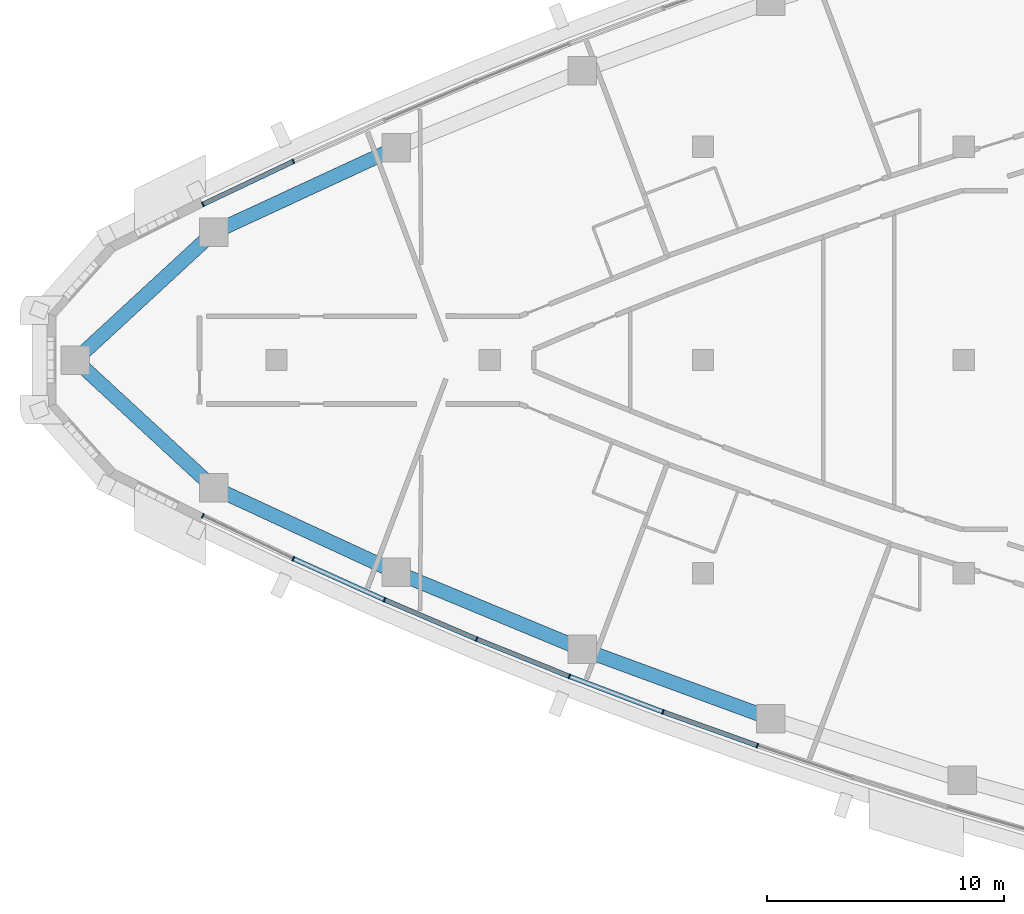
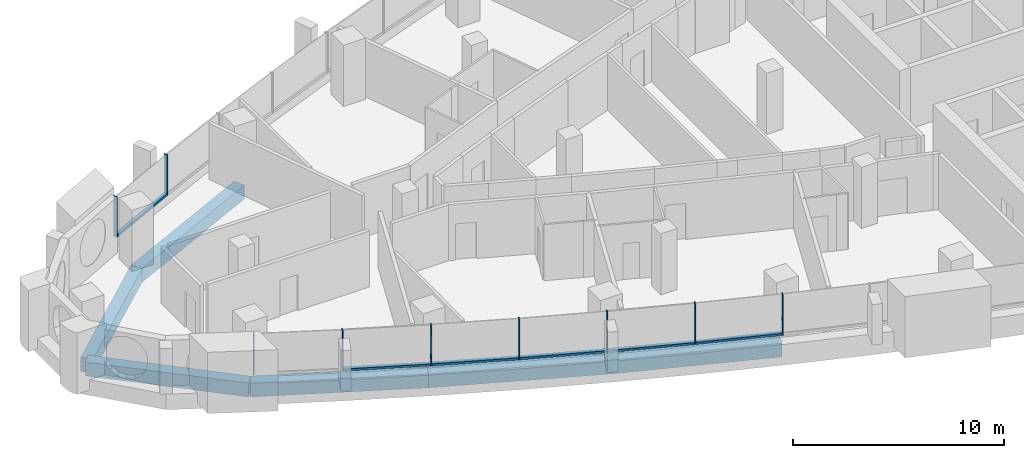
# One storey, part 2 of 15: 15 members, 6 beams, 4 elements without a shape of their own.
"""IFC4 building model written with IfcOpenShell, lengths in metres."""

from ifc_helpers import new_model, si_unit, direction, frame, origin, origin_2d, place, context, subcontext, project, spatial, rectangle, extrude, material, layer, layer_set, material_profile, profile_set, type_object, element, aggregate, save


model = new_model("IFC4")

# Units and contexts
model_context = context("Model", 3, precision=1e-05, world=origin(), true_north=direction((0.0, 1.0)))
body_context = subcontext(model_context, "Body", "Model", "MODEL_VIEW")
ifc_project = project(units=[si_unit("LENGTHUNIT", "METRE"), si_unit("AREAUNIT", "SQUARE_METRE"), si_unit("VOLUMEUNIT", "CUBIC_METRE"), si_unit("PLANEANGLEUNIT", "RADIAN"), si_unit("MASSUNIT", "GRAM", prefix="KILO")], contexts=[model_context])

# Site, building, storey
site_placement = place(None, origin())
site = spatial("IfcSite", under=ifc_project, at=site_placement, CompositionType="ELEMENT")
building_placement = place(site_placement, origin())
building = spatial("IfcBuilding", under=site, at=building_placement, Name="Ostrand Prow Hotel Tower", CompositionType="ELEMENT")
storey_placement = place(building_placement, frame((0.0, 0.0, 235.0)))
storey = spatial("IfcBuildingStorey", under=building, at=storey_placement, Name="L59", CompositionType="ELEMENT", Elevation=235.0)

# Beams
ifc_material_1 = material(Name="Concrete C50/60", Category="concrete")
ifc_material_profile_1 = material_profile(ifc_material_1, rectangle(XDim=0.60009765625, YDim=0.800048828125, at=origin_2d()), Name="RC 600x800")
ifc_profile_set_1 = profile_set([ifc_material_profile_1], Name="Concrete C50/60")
beam_type = type_object("IfcBeamType", Name="Edge beam 600x800 C50/60", PredefinedType="SPANDREL", material=ifc_profile_set_1)
beam_1_placement = place(storey_placement, frame((7.513916015625, 0.0, -0.699951171875), z_axis=(0.734806976358, -0.678276276672, 0.0), x_axis=(0.678276276672, 0.734806976358, 0.0)))
element("IfcBeam", 1, at=beam_1_placement, inside=storey, type_object=beam_type, Name="Edge beam P-S1", PredefinedType="SPANDREL", context=body_context, shape_type="SweptSolid", body=[
    extrude(rectangle(XDim=0.60009765625, YDim=0.800048828125, at=origin_2d()), origin(), (0.0, 0.0, 1.0), 7.95068359375),
])
beam_2_placement = place(storey_placement, frame((13.356201171875, -5.392822265625, -0.699951171875), z_axis=(0.907521936352, -0.420004684544, 0.0), x_axis=(0.420004684544, 0.907521936352, 0.0)))
element("IfcBeam", 2, at=beam_2_placement, inside=storey, type_object=beam_type, Name="Edge beam S1-S2", PredefinedType="SPANDREL", context=body_context, shape_type="SweptSolid", body=[
    extrude(rectangle(XDim=0.60009765625, YDim=0.800048828125, at=origin_2d()), origin(), (0.0, 0.0, 1.0), 8.4873046875),
])
for number, where, z_axis, x_axis, name in (
    (3, (21.05859375, -8.95751953125, -0.699951171875), (0.923890977326, -0.38265580097, 0.0), (0.38265580097, 0.923890977326, 0.0), "Edge beam S2-S3"),
    (4, (28.900146484375, -12.205322265625, -0.699951171875), (0.938684959139, -0.344776083113, 0.0), (0.344776083113, 0.938684959139, 0.0), "Edge beam S3-S4"),
):
    element("IfcBeam", number, at=place(storey_placement, frame(where, z_axis=z_axis, x_axis=x_axis)), inside=storey, type_object=beam_type, Name=name, PredefinedType="SPANDREL", context=body_context, shape_type="SweptSolid", body=[
        extrude(rectangle(XDim=0.60009765625, YDim=0.800048828125, at=origin_2d()), origin(), (0.0, 0.0, 1.0), 8.487548828125),
    ])
beam_3_placement = place(storey_placement, frame((21.05859375, 8.95751953125, -0.699951171875), z_axis=(-0.907521936352, -0.420004684544, 0.0), x_axis=(0.420004684544, -0.907521936352, 0.0)))
element("IfcBeam", 5, at=beam_3_placement, inside=storey, type_object=beam_type, Name="Edge beam N5-N6", PredefinedType="SPANDREL", context=body_context, shape_type="SweptSolid", body=[
    extrude(rectangle(XDim=0.60009765625, YDim=0.800048828125, at=origin_2d()), origin(), (0.0, 0.0, 1.0), 8.4873046875),
])
beam_4_placement = place(storey_placement, frame((13.356201171875, 5.392822265625, -0.699951171875), z_axis=(-0.734806976358, -0.678276276672, 0.0), x_axis=(0.678276276672, -0.734806976358, 0.0)))
element("IfcBeam", 6, at=beam_4_placement, inside=storey, type_object=beam_type, Name="Edge beam N6-P", PredefinedType="SPANDREL", context=body_context, shape_type="SweptSolid", body=[
    extrude(rectangle(XDim=0.60009765625, YDim=0.800048828125, at=origin_2d()), origin(), (0.0, 0.0, 1.0), 7.95068359375),
])

# Curtain wall, members
ifc_material_2 = material(Name="Insulated glass in bronze anodised frame", Category="glass")
ifc_layer = layer(ifc_material_2, 0.199951171875)
ifc_layer_set = layer_set([ifc_layer], Name="Insulated glass in bronze anodised frame")
curtain_wall_type = type_object("IfcCurtainWallType", Name="Strip curtain wall, fritted glass over bronze spandrel", PredefinedType="NOTDEFINED", material=ifc_layer_set)
curtain_wall_1_placement = place(storey_placement, origin())
curtain_wall_1 = element("IfcCurtainWall", 7, at=curtain_wall_1_placement, inside=storey, type_object=curtain_wall_type, Name="CW1 run CWS1", PredefinedType="NOTDEFINED")
ifc_material_3 = material(Name="Bronze anodised aluminium", Category="aluminium")
ifc_material_profile_2 = material_profile(ifc_material_3, rectangle(XDim=0.199951171875, YDim=0.06005859375, at=origin_2d()), Name="Mullion 60x200 bronze anodised aluminium")
ifc_profile_set_2 = profile_set([ifc_material_profile_2], Name="Bronze anodised aluminium")
member_type_1 = type_object("IfcMemberType", Name="Mullion 60x200 bronze anodised aluminium", PredefinedType="MULLION", material=ifc_profile_set_2)
member_1_placement = place(storey_placement, frame((12.893310546875, -6.57080078125, 0.89990234375), z_axis=(0.0, 0.0, 1.0), x_axis=(0.428861030937, 0.903370475577, 0.0)))
member_1 = element("IfcMember", 8, at=member_1_placement, type_object=member_type_1, Name="CW1 mullion 1", PredefinedType="MULLION", context=body_context, shape_type="SweptSolid", body=[
    extrude(rectangle(XDim=0.199951171875, YDim=0.06005859375, at=origin_2d()), origin(), (0.0, 0.0, 1.0), 2.35009765625),
])
member_2_placement = place(storey_placement, frame((16.708740234375, -8.382080078125, 0.89990234375), z_axis=(0.0, 0.0, 1.0), x_axis=(0.41058199404, 0.911823681514, 0.0)))
member_2 = element("IfcMember", 9, at=member_2_placement, type_object=member_type_1, Name="CW1 mullion 2", PredefinedType="MULLION", context=body_context, shape_type="SweptSolid", body=[
    extrude(rectangle(XDim=0.199951171875, YDim=0.06005859375, at=origin_2d()), origin(), (0.0, 0.0, 1.0), 2.35009765625),
])
member_3_placement = place(storey_placement, frame((20.56005859375, -10.116455078125, 0.89990234375), z_axis=(0.0, 0.0, 1.0), x_axis=(0.41058199404, 0.911823681514, 0.0)))
member_3 = element("IfcMember", 10, at=member_3_placement, type_object=member_type_1, Name="CW1 mullion 3", PredefinedType="MULLION", context=body_context, shape_type="SweptSolid", body=[
    extrude(rectangle(XDim=0.199951171875, YDim=0.06005859375, at=origin_2d()), origin(), (0.0, 0.0, 1.0), 2.35009765625),
])

curtain_wall_2_placement = place(storey_placement, origin())
curtain_wall_2 = element("IfcCurtainWall", 11, at=curtain_wall_2_placement, inside=storey, type_object=curtain_wall_type, Name="CW1 run CWS2", PredefinedType="NOTDEFINED")
member_4_placement = place(storey_placement, frame((24.445556640625, -11.772705078125, 0.89990234375), z_axis=(0.0, 0.0, 1.0), x_axis=(0.373533449004, 0.927616710972, 0.0)))
member_4 = element("IfcMember", 12, at=member_4_placement, type_object=member_type_1, Name="CW1 mullion 2", PredefinedType="MULLION", context=body_context, shape_type="SweptSolid", body=[
    extrude(rectangle(XDim=0.199951171875, YDim=0.06005859375, at=origin_2d()), origin(), (0.0, 0.0, 1.0), 2.35009765625),
])
member_5_placement = place(storey_placement, frame((28.363525390625, -13.350341796875, 0.89990234375), z_axis=(0.0, 0.0, 1.0), x_axis=(0.373533449004, 0.927616710972, 0.0)))
member_5 = element("IfcMember", 13, at=member_5_placement, type_object=member_type_1, Name="CW1 mullion 3", PredefinedType="MULLION", context=body_context, shape_type="SweptSolid", body=[
    extrude(rectangle(XDim=0.199951171875, YDim=0.06005859375, at=origin_2d()), origin(), (0.0, 0.0, 1.0), 2.35009765625),
])

curtain_wall_3_placement = place(storey_placement, origin())
curtain_wall_3 = element("IfcCurtainWall", 14, at=curtain_wall_3_placement, inside=storey, type_object=curtain_wall_type, Name="CW1 run CWS3", PredefinedType="NOTDEFINED")
member_6_placement = place(storey_placement, frame((32.3125, -14.848876953125, 0.89990234375), z_axis=(0.0, 0.0, 1.0), x_axis=(0.335877383374, 0.941905718922, 0.0)))
member_6 = element("IfcMember", 15, at=member_6_placement, type_object=member_type_1, Name="CW1 mullion 2", PredefinedType="MULLION", context=body_context, shape_type="SweptSolid", body=[
    extrude(rectangle(XDim=0.199951171875, YDim=0.06005859375, at=origin_2d()), origin(), (0.0, 0.0, 1.0), 2.35009765625),
])
member_7_placement = place(storey_placement, frame((36.291015625, -16.267578125, 0.89990234375), z_axis=(0.0, 0.0, 1.0), x_axis=(0.335877383374, 0.941905718922, 0.0)))
member_7 = element("IfcMember", 16, at=member_7_placement, type_object=member_type_1, Name="CW1 mullion 3", PredefinedType="MULLION", context=body_context, shape_type="SweptSolid", body=[
    extrude(rectangle(XDim=0.199951171875, YDim=0.06005859375, at=origin_2d()), origin(), (0.0, 0.0, 1.0), 2.35009765625),
])

curtain_wall_4_placement = place(storey_placement, origin())
curtain_wall_4 = element("IfcCurtainWall", 17, at=curtain_wall_4_placement, inside=storey, type_object=curtain_wall_type, Name="CW1 run CWN5", PredefinedType="NOTDEFINED")
member_8_placement = place(storey_placement, frame((16.708740234375, 8.382080078125, 0.89990234375), z_axis=(0.0, 0.0, 1.0), x_axis=(0.428861030937, -0.903370475577, 0.0)))
member_8 = element("IfcMember", 18, at=member_8_placement, type_object=member_type_1, Name="CW1 mullion 2", PredefinedType="MULLION", context=body_context, shape_type="SweptSolid", body=[
    extrude(rectangle(XDim=0.199951171875, YDim=0.06005859375, at=origin_2d()), origin(), (0.0, 0.0, 1.0), 2.35009765625),
])
member_9_placement = place(storey_placement, frame((12.893310546875, 6.57080078125, 0.89990234375), z_axis=(0.0, 0.0, 1.0), x_axis=(0.428861030937, -0.903370475577, 0.0)))
member_9 = element("IfcMember", 19, at=member_9_placement, type_object=member_type_1, Name="CW1 mullion 3", PredefinedType="MULLION", context=body_context, shape_type="SweptSolid", body=[
    extrude(rectangle(XDim=0.199951171875, YDim=0.06005859375, at=origin_2d()), origin(), (0.0, 0.0, 1.0), 2.35009765625),
])

# Member
ifc_material_4 = material(Name="Bronze anodised aluminium", Category="aluminium")
ifc_material_profile_3 = material_profile(ifc_material_4, rectangle(XDim=0.199951171875, YDim=0.1201171875, at=origin_2d()), Name="Transom 120x200 bronze anodised aluminium")
ifc_profile_set_3 = profile_set([ifc_material_profile_3], Name="Bronze anodised aluminium")
member_type_2 = type_object("IfcMemberType", Name="Transom 120x200 bronze anodised aluminium", PredefinedType="USERDEFINED", material=ifc_profile_set_3)
member_10_placement = place(storey_placement, frame((16.736083984375, -8.39453125, 0.9599609375), z_axis=(0.911832617051, -0.410562149353, 0.0), x_axis=(0.410562149353, 0.911832617051, 0.0)))
member_10 = element("IfcMember", 20, at=member_10_placement, type_object=member_type_2, Name="CW1 transom 2.1", ObjectType="TRANSOM", PredefinedType="USERDEFINED", context=body_context, shape_type="SweptSolid", body=[
    extrude(rectangle(XDim=0.199951171875, YDim=0.1201171875, at=origin_2d()), origin(), (0.0, 0.0, 1.0), 4.163818359375),
])

aggregate(curtain_wall_1, [member_1, member_2, member_3, member_10])

member_11_placement = place(storey_placement, frame((20.587646484375, -10.128173828125, 0.9599609375), z_axis=(0.919904541337, -0.392142365509, 0.0), x_axis=(0.392142365509, 0.919904541337, 0.0)))
member_11 = element("IfcMember", 21, at=member_11_placement, type_object=member_type_2, Name="CW1 transom 1.1", ObjectType="TRANSOM", PredefinedType="USERDEFINED", context=body_context, shape_type="SweptSolid", body=[
    extrude(rectangle(XDim=0.199951171875, YDim=0.1201171875, at=origin_2d()), origin(), (0.0, 0.0, 1.0), 4.163818359375),
])

member_12_placement = place(storey_placement, frame((24.473388671875, -11.783935546875, 0.9599609375), z_axis=(0.927625049372, -0.373512741119, 0.0), x_axis=(0.373512741119, 0.927625049372, 0.0)))
member_12 = element("IfcMember", 22, at=member_12_placement, type_object=member_type_2, Name="CW1 transom 2.1", ObjectType="TRANSOM", PredefinedType="USERDEFINED", context=body_context, shape_type="SweptSolid", body=[
    extrude(rectangle(XDim=0.199951171875, YDim=0.1201171875, at=origin_2d()), origin(), (0.0, 0.0, 1.0), 4.16357421875),
])

aggregate(curtain_wall_2, [member_4, member_5, member_11, member_12])

member_13_placement = place(storey_placement, frame((28.3916015625, -13.361083984375, 0.9599609375), z_axis=(0.934960644813, -0.354751451936, 0.0), x_axis=(0.354751451936, 0.934960644813, 0.0)))
member_13 = element("IfcMember", 23, at=member_13_placement, type_object=member_type_2, Name="CW1 transom 1.1", ObjectType="TRANSOM", PredefinedType="USERDEFINED", context=body_context, shape_type="SweptSolid", body=[
    extrude(rectangle(XDim=0.199951171875, YDim=0.1201171875, at=origin_2d()), origin(), (0.0, 0.0, 1.0), 4.16357421875),
])

member_14_placement = place(storey_placement, frame((32.3408203125, -14.85888671875, 0.9599609375), z_axis=(0.941911594104, -0.335860907061, 0.0), x_axis=(0.335860907061, 0.941911594104, 0.0)))
member_14 = element("IfcMember", 24, at=member_14_placement, type_object=member_type_2, Name="CW1 transom 2.1", ObjectType="TRANSOM", PredefinedType="USERDEFINED", context=body_context, shape_type="SweptSolid", body=[
    extrude(rectangle(XDim=0.199951171875, YDim=0.1201171875, at=origin_2d()), origin(), (0.0, 0.0, 1.0), 4.163818359375),
])

aggregate(curtain_wall_3, [member_6, member_7, member_13, member_14])

member_15_placement = place(storey_placement, frame((16.681640625, 8.369384765625, 0.9599609375), z_axis=(-0.903364977925, -0.428872611226, 0.0), x_axis=(0.428872611226, -0.903364977925, 0.0)))
member_15 = element("IfcMember", 25, at=member_15_placement, type_object=member_type_2, Name="CW1 transom 2.1", ObjectType="TRANSOM", PredefinedType="USERDEFINED", context=body_context, shape_type="SweptSolid", body=[
    extrude(rectangle(XDim=0.199951171875, YDim=0.1201171875, at=origin_2d()), origin(), (0.0, 0.0, 1.0), 4.16357421875),
])

aggregate(curtain_wall_4, [member_8, member_9, member_15])

save(model, "model.ifc")
